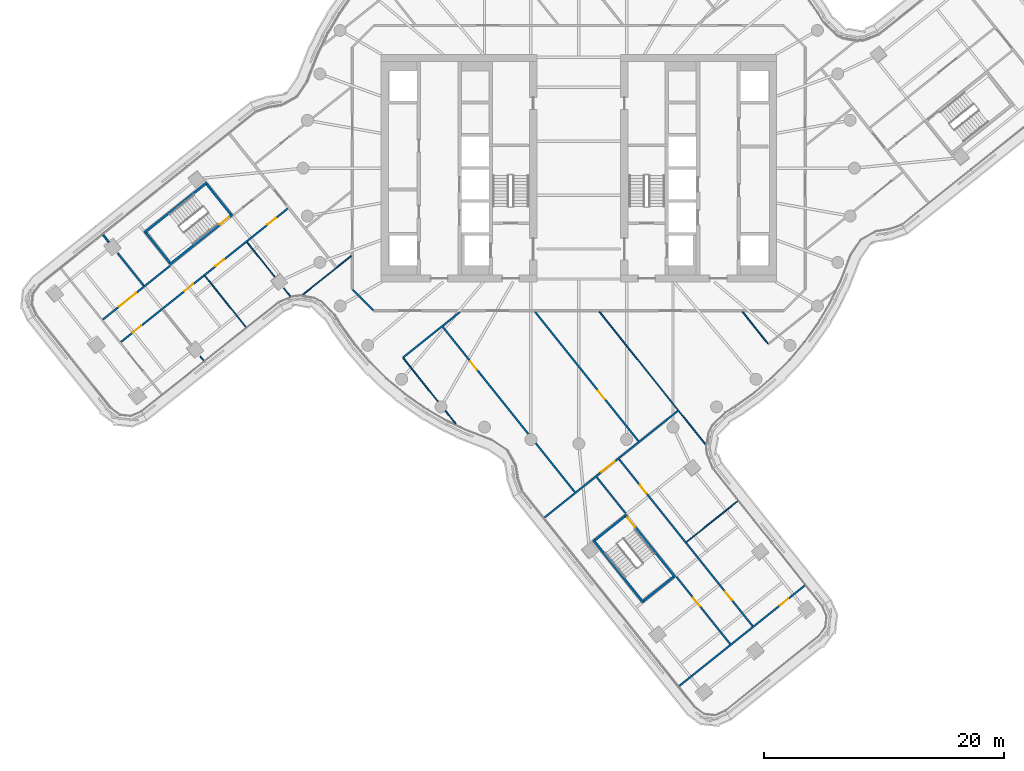
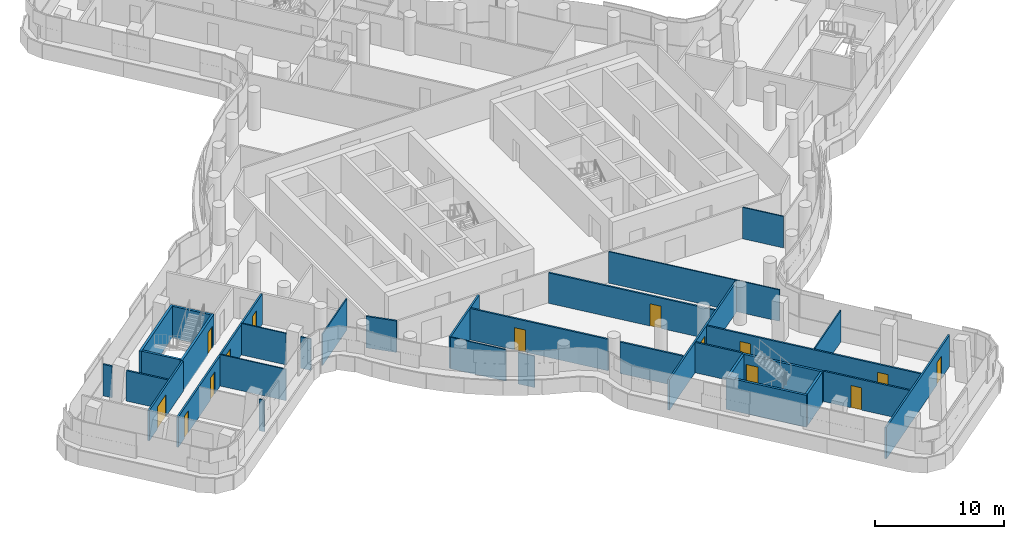
# One storey, part 19 of 31: 32 walls, 14 doors, 14 openings.
"""IFC4 building model written with IfcOpenShell, lengths in metres."""

from ifc_helpers import new_model, si_unit, direction, frame, frame_2d, origin, place, context, subcontext, project, spatial, polyline, rectangle, outline, extrude, material, layer, layer_set, type_object, element, fill, save


model = new_model("IFC4")

# Units and contexts
model_context = context("Model", 3, precision=1e-05, world=origin(), true_north=direction((0.0, 1.0)))
body_context = subcontext(model_context, "Body", "Model", "MODEL_VIEW")
ifc_project = project(units=[si_unit("LENGTHUNIT", "METRE"), si_unit("AREAUNIT", "SQUARE_METRE"), si_unit("VOLUMEUNIT", "CUBIC_METRE"), si_unit("PLANEANGLEUNIT", "RADIAN"), si_unit("MASSUNIT", "GRAM", prefix="KILO")], contexts=[model_context])

# Site, building, storey
site_placement = place(None, origin())
site = spatial("IfcSite", under=ifc_project, at=site_placement, CompositionType="ELEMENT")
building_placement = place(site_placement, origin())
building = spatial("IfcBuilding", under=site, at=building_placement, Name="Tamarind Cross Interchange Tower", CompositionType="ELEMENT")
storey_placement = place(building_placement, frame((0.0, 0.0, 174.25)))
storey = spatial("IfcBuildingStorey", under=building, at=storey_placement, Name="L43", CompositionType="ELEMENT", Elevation=174.25)

# Walls
ifc_material_1 = material(Name="Gypsum board partition on steel studs", Category="steel")
ifc_layer_1 = layer(ifc_material_1, 0.10009765625)
ifc_layer_set_1 = layer_set([ifc_layer_1], Name="Gypsum board partition on steel studs")
wall_type_1 = type_object("IfcWallType", Name="Partition 100 mm EI 90", PredefinedType="PARTITIONING", material=ifc_layer_set_1)
wall_1_placement = place(storey_placement, frame((-31.6015625, -15.69189453125, 0.0), z_axis=(0.0, 0.0, 1.0), x_axis=(0.624759558708, -0.78081719615, 0.0)))
element("IfcWall", 1, at=wall_1_placement, inside=storey, type_object=wall_type_1, Name="Partition L43-005", PredefinedType="PARTITIONING", context=body_context, shape_type="SweptSolid", body=[
    extrude(rectangle(XDim=0.46142578125, YDim=0.10009765625, at=frame_2d((0.230712890625, 0.0))), origin(), (0.0, 0.0, 1.0), 2.969970703125),
])
wall_2_placement = place(storey_placement, frame((-31.19921875, -8.99169921875, 0.0), z_axis=(0.0, 0.0, 1.0), x_axis=(0.624678672768, -0.780881908991, 0.0)))
element("IfcWall", 2, at=wall_2_placement, inside=storey, type_object=wall_type_1, Name="Partition L43-006", PredefinedType="PARTITIONING", context=body_context, shape_type="SweptSolid", body=[
    extrude(rectangle(XDim=5.454833984375, YDim=0.10009765625, at=frame_2d((2.7275390625, 0.0))), origin(), (0.0, 0.0, 1.0), 2.969970703125),
])
wall_3_placement = place(storey_placement, frame((-27.685302734375, -6.1806640625, 0.0), z_axis=(0.0, 0.0, 1.0), x_axis=(0.624703065972, -0.780862394641, 0.0)))
element("IfcWall", 3, at=wall_3_placement, inside=storey, type_object=wall_type_1, Name="Partition L43-008", PredefinedType="PARTITIONING", context=body_context, shape_type="SweptSolid", body=[
    extrude(rectangle(XDim=3.713134765625, YDim=0.10009765625, at=frame_2d((1.8564453125, 0.0))), origin(), (0.0, 0.0, 1.0), 2.969970703125),
])
wall_4_placement = place(storey_placement, frame((-24.625244140625, -10.006103515625, 0.0), z_axis=(0.0, 0.0, 1.0), x_axis=(0.624661023659, -0.780896027344, 0.0)))
element("IfcWall", 4, at=wall_4_placement, inside=storey, type_object=wall_type_1, Name="Partition L43-009", PredefinedType="PARTITIONING", context=body_context, shape_type="SweptSolid", body=[
    extrude(rectangle(XDim=0.875, YDim=0.10009765625, at=frame_2d((0.4375, 0.0))), origin(), (0.0, 0.0, 1.0), 2.969970703125),
])
wall_5_placement = place(storey_placement, frame((-14.63330078125, -15.87353515625, 0.0), z_axis=(0.0, 0.0, 1.0), x_axis=(0.624636960835, -0.780915275276, 0.0)))
element("IfcWall", 5, at=wall_5_placement, inside=storey, type_object=wall_type_1, Name="Partition L43-011", PredefinedType="PARTITIONING", context=body_context, shape_type="SweptSolid", body=[
    extrude(rectangle(XDim=4.61328125, YDim=0.10009765625, at=frame_2d((2.306640625, 0.0))), origin(), (0.0, 0.0, 1.0), 2.969970703125),
])
wall_6_placement = place(storey_placement, frame((-11.1337890625, -20.248779296875, 0.0), z_axis=(0.0, 0.0, 1.0), x_axis=(0.62463072699, -0.780920261551, 0.0)))
element("IfcWall", 6, at=wall_6_placement, inside=storey, type_object=wall_type_1, Name="Partition L43-012", PredefinedType="PARTITIONING", context=body_context, shape_type="SweptSolid", body=[
    extrude(rectangle(XDim=1.388671875, YDim=0.10009765625, at=frame_2d((0.6943359375, 0.0))), origin(), (0.0, 0.0, 1.0), 2.969970703125),
])
wall_7_placement = place(storey_placement, frame((1.724853515625, -11.98974609375, 0.0), z_axis=(0.0, 0.0, 1.0), x_axis=(0.624690839768, -0.780872175654, 0.0)))
element("IfcWall", 7, at=wall_7_placement, inside=storey, type_object=wall_type_1, Name="Partition L43-027", PredefinedType="PARTITIONING", context=body_context, shape_type="SweptSolid", body=[
    extrude(rectangle(XDim=14.151611328125, YDim=0.10009765625, at=frame_2d((7.07568359375, 0.0))), origin(), (0.0, 0.0, 1.0), 2.969970703125),
])
wall_8_placement = place(storey_placement, frame((13.662841796875, -11.98974609375, 0.0), z_axis=(0.0, 0.0, 1.0), x_axis=(0.624651201182, -0.780903884522, 0.0)))
element("IfcWall", 8, at=wall_8_placement, inside=storey, type_object=wall_type_1, Name="Partition L43-031", PredefinedType="PARTITIONING", context=body_context, shape_type="SweptSolid", body=[
    extrude(rectangle(XDim=3.395263671875, YDim=0.10009765625, at=frame_2d((1.69775390625, 0.0))), origin(), (0.0, 0.0, 1.0), 2.969970703125),
])
wall_9_placement = place(storey_placement, frame((-23.040771484375, -10.565185546875, 0.0), z_axis=(0.0, 0.0, 1.0), x_axis=(0.780900948361, 0.624654871789, 0.0)))
element("IfcWall", 9, at=wall_9_placement, inside=storey, type_object=wall_type_1, Name="Partition L43-045", PredefinedType="PARTITIONING", context=body_context, shape_type="SweptSolid", body=[
    extrude(rectangle(XDim=5.187744140625, YDim=0.10009765625, at=frame_2d((2.59375, 0.0))), origin(), (0.0, 0.0, 1.0), 2.969970703125),
])
wall_10_placement = place(storey_placement, frame((8.99169921875, -31.19921875, 0.0), z_axis=(0.0, 0.0, 1.0), x_axis=(0.780881908991, 0.624678672768, 0.0)))
element("IfcWall", 10, at=wall_10_placement, inside=storey, type_object=wall_type_1, Name="Partition L43-062", PredefinedType="PARTITIONING", context=body_context, shape_type="SweptSolid", body=[
    extrude(rectangle(XDim=5.454833984375, YDim=0.10009765625, at=frame_2d((2.7275390625, 0.0))), origin(), (0.0, 0.0, 1.0), 2.969970703125),
])
ifc_layer_2 = layer(ifc_material_1, 0.14990234375)
ifc_layer_set_2 = layer_set([ifc_layer_2], Name="Gypsum board partition on steel studs")
wall_type_2 = type_object("IfcWallType", Name="Partition 150 mm EI 120", PredefinedType="PARTITIONING", material=ifc_layer_set_2)
wall_11_placement = place(storey_placement, frame((-39.6943359375, -5.57568359375, 0.0), z_axis=(0.0, 0.0, 1.0), x_axis=(0.624616596662, -0.780931563695, 0.0)))
element("IfcWall", 11, at=wall_11_placement, inside=storey, type_object=wall_type_2, Name="Partition L43-002", PredefinedType="PARTITIONING", context=body_context, shape_type="SweptSolid", body=[
    extrude(rectangle(XDim=0.759033203125, YDim=0.14990234375, at=frame_2d((0.37939453125, 0.0))), origin(), (0.0, 0.0, 1.0), 2.969970703125),
])
wall_12_placement = place(storey_placement, frame((-38.4794921875, -7.09423828125, 0.0), z_axis=(0.0, 0.0, 1.0), x_axis=(0.624643633791, -0.780909937678, 0.0)))
element("IfcWall", 12, at=wall_12_placement, inside=storey, type_object=wall_type_2, Name="Partition L43-003", PredefinedType="PARTITIONING", context=body_context, shape_type="SweptSolid", body=[
    extrude(rectangle(XDim=3.474609375, YDim=0.14990234375, at=frame_2d((1.7373046875, 0.0))), origin(), (0.0, 0.0, 1.0), 2.8701171875),
])

# Wall, opening, door
wall_13_placement = place(storey_placement, frame((-11.35009765625, -13.25341796875, 0.0), z_axis=(0.0, 0.0, 1.0), x_axis=(0.624656044028, -0.780900010667, 0.0)))
wall_13 = element("IfcWall", 13, at=wall_13_placement, inside=storey, type_object=wall_type_2, Name="Partition L43-016", PredefinedType="PARTITIONING", context=body_context, shape_type="SweptSolid", body=[
    extrude(rectangle(XDim=11.450439453125, YDim=0.14990234375, at=frame_2d((5.72509765625, 0.0))), origin(), (0.0, 0.0, 1.0), 2.969970703125),
])
opening_1_placement = place(wall_13_placement, frame((3.669921875, 0.0, 0.0)))
opening_1 = element("IfcOpeningElement", 14, at=opening_1_placement, cuts=wall_13, Name="Opening D08", PredefinedType="OPENING", context=body_context, shape_type="SweptSolid", body=[
    extrude(rectangle(XDim=0.89990234375, YDim=2.10009765625, at=frame_2d((0.449951171875, 1.050048828125))), frame((0.0, 0.0849609375, 0.0), z_axis=(0.0, -1.0, 0.0), x_axis=(1.0, 0.0, 0.0)), (0.0, 0.0, 1.0), 0.169921875),
])
ifc_material_2 = material(Name="Fire-resisting door set")
door_type_1 = type_object("IfcDoorType", Name="Interior door 900 x 2100 FD60S", OperationType="SINGLE_SWING_LEFT", PredefinedType="DOOR", material=ifc_material_2)
door_1_placement = place(opening_1_placement, frame((0.89990234375, 0.0, 0.0), z_axis=(0.0, 0.0, 1.0), x_axis=(-1.0, 0.0, 0.0)))
door_1 = element("IfcDoor", 15, at=door_1_placement, inside=storey, type_object=door_type_1, Name="Door D08", OperationType="SINGLE_SWING_LEFT", OverallHeight=2.10009765625, OverallWidth=0.89990234375, PredefinedType="DOOR", context=body_context, shape_type="SweptSolid", body=[
    extrude(rectangle(XDim=0.89990234375, YDim=2.10009765625, at=frame_2d((0.449951171875, 1.050048828125))), frame((0.0, 0.02490234375, 0.0), z_axis=(0.0, -1.0, 0.0), x_axis=(1.0, 0.0, 0.0)), (0.0, 0.0, 1.0), 0.050048828125),
])
fill(opening_1, door_1)

# Wall
wall_14_placement = place(storey_placement, frame((-3.594970703125, -22.9482421875, 0.0), z_axis=(0.0, 0.0, 1.0), x_axis=(0.62465516027, -0.7809007176, 0.0)))
element("IfcWall", 16, at=wall_14_placement, inside=storey, type_object=wall_type_2, Name="Partition L43-017", PredefinedType="PARTITIONING", context=body_context, shape_type="SweptSolid", body=[
    extrude(rectangle(XDim=5.22509765625, YDim=0.14990234375, at=frame_2d((2.612548828125, 0.0))), origin(), (0.0, 0.0, 1.0), 2.969970703125),
])

# Wall, opening, door
wall_15_placement = place(storey_placement, frame((-3.640625, -12.00537109375, 0.0), z_axis=(0.0, 0.0, 1.0), x_axis=(0.62463894889, -0.78091368507, 0.0)))
wall_15 = element("IfcWall", 17, at=wall_15_placement, inside=storey, type_object=wall_type_2, Name="Partition L43-020", PredefinedType="PARTITIONING", context=body_context, shape_type="SweptSolid", body=[
    extrude(rectangle(XDim=13.79931640625, YDim=0.14990234375, at=frame_2d((6.899658203125, 0.0))), origin(), (0.0, 0.0, 1.0), 2.8701171875),
])
opening_2_placement = place(wall_15_placement, frame((8.4150390625, 0.0, 0.0)))
opening_2 = element("IfcOpeningElement", 18, at=opening_2_placement, cuts=wall_15, Name="Opening D09", PredefinedType="OPENING", context=body_context, shape_type="SweptSolid", body=[
    extrude(rectangle(XDim=0.89990234375, YDim=2.10009765625, at=frame_2d((0.449951171875, 1.050048828125))), frame((0.0, 0.0849609375, 0.0), z_axis=(0.0, -1.0, 0.0), x_axis=(1.0, 0.0, 0.0)), (0.0, 0.0, 1.0), 0.169921875),
])
door_2_placement = place(opening_2_placement, origin())
door_2 = element("IfcDoor", 19, at=door_2_placement, inside=storey, type_object=door_type_1, Name="Door D09", OperationType="SINGLE_SWING_LEFT", OverallHeight=2.10009765625, OverallWidth=0.89990234375, PredefinedType="DOOR", context=body_context, shape_type="SweptSolid", body=[
    extrude(rectangle(XDim=0.89990234375, YDim=2.10009765625, at=frame_2d((0.449951171875, 1.050048828125))), frame((0.0, 0.02490234375, 0.0), z_axis=(0.0, -1.0, 0.0), x_axis=(1.0, 0.0, 0.0)), (0.0, 0.0, 1.0), 0.050048828125),
])
fill(opening_2, door_2)

# Wall
wall_16_placement = place(storey_placement, frame((1.487060546875, -25.779541015625, 0.0), z_axis=(0.0, 0.0, 1.0), x_axis=(0.624664354655, -0.780893362774, 0.0)))
element("IfcWall", 20, at=wall_16_placement, inside=storey, type_object=wall_type_2, Name="Partition L43-025", PredefinedType="PARTITIONING", context=body_context, shape_type="SweptSolid", body=[
    extrude(rectangle(XDim=3.880126953125, YDim=0.14990234375, at=frame_2d((1.93994140625, 0.0))), origin(), (0.0, 0.0, 1.0), 2.8701171875),
])

# Wall, opening, door
wall_17_placement = place(storey_placement, frame((8.1455078125, -34.103271484375, 0.0), z_axis=(0.0, 0.0, 1.0), x_axis=(0.624666023475, -0.780892027822, 0.0)))
wall_17 = element("IfcWall", 21, at=wall_17_placement, inside=storey, type_object=wall_type_2, Name="Partition L43-026", PredefinedType="PARTITIONING", context=body_context, shape_type="SweptSolid", body=[
    extrude(rectangle(XDim=7.180908203125, YDim=0.14990234375, at=frame_2d((3.59033203125, 0.0))), origin(), (0.0, 0.0, 1.0), 2.8701171875),
])
opening_3_placement = place(wall_17_placement, frame((2.25, 0.0, 0.0)))
opening_3 = element("IfcOpeningElement", 22, at=opening_3_placement, cuts=wall_17, Name="Opening D14", PredefinedType="OPENING", context=body_context, shape_type="SweptSolid", body=[
    extrude(rectangle(XDim=0.89990234375, YDim=2.10009765625, at=frame_2d((0.449951171875, 1.050048828125))), frame((0.0, 0.0849609375, 0.0), z_axis=(0.0, -1.0, 0.0), x_axis=(1.0, 0.0, 0.0)), (0.0, 0.0, 1.0), 0.169921875),
])
door_3_placement = place(opening_3_placement, frame((0.89990234375, 0.0, 0.0), z_axis=(0.0, 0.0, 1.0), x_axis=(-1.0, 0.0, 0.0)))
door_3 = element("IfcDoor", 23, at=door_3_placement, inside=storey, type_object=door_type_1, Name="Door D14", OperationType="SINGLE_SWING_LEFT", OverallHeight=2.10009765625, OverallWidth=0.89990234375, PredefinedType="DOOR", context=body_context, shape_type="SweptSolid", body=[
    extrude(rectangle(XDim=0.89990234375, YDim=2.10009765625, at=frame_2d((0.449951171875, 1.050048828125))), frame((0.0, 0.02490234375, 0.0), z_axis=(0.0, -1.0, 0.0), x_axis=(1.0, 0.0, 0.0)), (0.0, 0.0, 1.0), 0.050048828125),
])
fill(opening_3, door_3)

# Wall, openings, doors
wall_18_placement = place(storey_placement, frame((3.361083984375, -24.280517578125, 0.0), z_axis=(0.0, 0.0, 1.0), x_axis=(0.624663337309, -0.780894176584, 0.0)))
wall_18 = element("IfcWall", 24, at=wall_18_placement, inside=storey, type_object=wall_type_2, Name="Partition L43-028", PredefinedType="PARTITIONING", context=body_context, shape_type="SweptSolid", body=[
    extrude(rectangle(XDim=17.839599609375, YDim=0.14990234375, at=frame_2d((8.919921875, 0.0))), origin(), (0.0, 0.0, 1.0), 2.8701171875),
])
opening_4_placement = place(wall_18_placement, frame((2.77001953125, 0.0, 0.0)))
opening_4 = element("IfcOpeningElement", 25, at=opening_4_placement, cuts=wall_18, Name="Opening D15", PredefinedType="OPENING", context=body_context, shape_type="SweptSolid", body=[
    extrude(rectangle(XDim=0.89990234375, YDim=2.10009765625, at=frame_2d((0.449951171875, 1.050048828125))), frame((0.0, 0.0849609375, 0.0), z_axis=(0.0, -1.0, 0.0), x_axis=(1.0, 0.0, 0.0)), (0.0, 0.0, 1.0), 0.169921875),
])
opening_5_placement = place(wall_18_placement, frame((14.169921875, 0.0, 0.0)))
opening_5 = element("IfcOpeningElement", 26, at=opening_5_placement, cuts=wall_18, Name="Opening D16", PredefinedType="OPENING", context=body_context, shape_type="SweptSolid", body=[
    extrude(rectangle(XDim=0.89990234375, YDim=2.10009765625, at=frame_2d((0.449951171875, 1.050048828125))), frame((0.0, 0.0849609375, 0.0), z_axis=(0.0, -1.0, 0.0), x_axis=(1.0, 0.0, 0.0)), (0.0, 0.0, 1.0), 0.169921875),
])
door_4_placement = place(opening_4_placement, origin())
door_4 = element("IfcDoor", 27, at=door_4_placement, inside=storey, type_object=door_type_1, Name="Door D15", OperationType="SINGLE_SWING_RIGHT", OverallHeight=2.10009765625, OverallWidth=0.89990234375, PredefinedType="DOOR", context=body_context, shape_type="SweptSolid", body=[
    extrude(rectangle(XDim=0.89990234375, YDim=2.10009765625, at=frame_2d((0.449951171875, 1.050048828125))), frame((0.0, 0.02490234375, 0.0), z_axis=(0.0, -1.0, 0.0), x_axis=(1.0, 0.0, 0.0)), (0.0, 0.0, 1.0), 0.050048828125),
])
fill(opening_4, door_4)
door_5_placement = place(opening_5_placement, origin())
door_5 = element("IfcDoor", 28, at=door_5_placement, inside=storey, type_object=door_type_1, Name="Door D16", OperationType="SINGLE_SWING_LEFT", OverallHeight=2.10009765625, OverallWidth=0.89990234375, PredefinedType="DOOR", context=body_context, shape_type="SweptSolid", body=[
    extrude(rectangle(XDim=0.89990234375, YDim=2.10009765625, at=frame_2d((0.449951171875, 1.050048828125))), frame((0.0, 0.02490234375, 0.0), z_axis=(0.0, -1.0, 0.0), x_axis=(1.0, 0.0, 0.0)), (0.0, 0.0, 1.0), 0.050048828125),
])
fill(opening_5, door_5)

# Wall
wall_19_placement = place(storey_placement, frame((-18.87158203125, -10.12841796875, 0.0), z_axis=(0.0, 0.0, 1.0), x_axis=(0.707106781187, -0.707106781187, 0.0)))
element("IfcWall", 29, at=wall_19_placement, inside=storey, type_object=wall_type_2, Name="Partition L43-036", PredefinedType="PARTITIONING", context=body_context, shape_type="SweptSolid", body=[
    extrude(rectangle(XDim=2.465087890625, YDim=0.14990234375, at=frame_2d((1.232421875, 0.0))), origin(), (0.0, 0.0, 1.0), 2.969970703125),
])

# Wall, opening, door
wall_20_placement = place(storey_placement, frame((-39.71044921875, -12.631103515625, 0.0), z_axis=(0.0, 0.0, 1.0), x_axis=(0.780878760573, 0.624682608439, 0.0)))
wall_20 = element("IfcWall", 30, at=wall_20_placement, inside=storey, type_object=wall_type_2, Name="Partition L43-040", PredefinedType="PARTITIONING", context=body_context, shape_type="SweptSolid", body=[
    extrude(rectangle(XDim=7.1806640625, YDim=0.14990234375, at=frame_2d((3.59033203125, 0.0))), origin(), (0.0, 0.0, 1.0), 2.8701171875),
])
opening_6_placement = place(wall_20_placement, frame((1.719970703125, 0.0, 0.0)))
opening_6 = element("IfcOpeningElement", 31, at=opening_6_placement, cuts=wall_20, Name="Opening D25", PredefinedType="OPENING", context=body_context, shape_type="SweptSolid", body=[
    extrude(rectangle(XDim=1.800048828125, YDim=2.10009765625, at=frame_2d((0.89990234375, 1.050048828125))), frame((0.0, 0.0849609375, 0.0), z_axis=(0.0, -1.0, 0.0), x_axis=(1.0, 0.0, 0.0)), (0.0, 0.0, 1.0), 0.169921875),
])
door_type_2 = type_object("IfcDoorType", Name="Interior door 1800 x 2100 FD60S", OperationType="DOUBLE_DOOR_SINGLE_SWING", PredefinedType="DOOR", material=ifc_material_2)
door_6_placement = place(opening_6_placement, origin())
door_6 = element("IfcDoor", 32, at=door_6_placement, inside=storey, type_object=door_type_2, Name="Door D25", OperationType="DOUBLE_DOOR_SINGLE_SWING", OverallHeight=2.10009765625, OverallWidth=1.800048828125, PredefinedType="DOOR", context=body_context, shape_type="SweptSolid", body=[
    extrude(rectangle(XDim=1.800048828125, YDim=2.10009765625, at=frame_2d((0.89990234375, 1.050048828125))), frame((0.0, 0.02490234375, 0.0), z_axis=(0.0, -1.0, 0.0), x_axis=(1.0, 0.0, 0.0)), (0.0, 0.0, 1.0), 0.050048828125),
])
fill(opening_6, door_6)

# Wall, openings, doors
wall_21_placement = place(storey_placement, frame((-38.21142578125, -14.5048828125, 0.0), z_axis=(0.0, 0.0, 1.0), x_axis=(0.780892868447, 0.624664972612, 0.0)))
wall_21 = element("IfcWall", 33, at=wall_21_placement, inside=storey, type_object=wall_type_2, Name="Partition L43-042", PredefinedType="PARTITIONING", context=body_context, shape_type="SweptSolid", body=[
    extrude(rectangle(XDim=17.81982421875, YDim=0.14990234375, at=frame_2d((8.909912109375, 0.0))), origin(), (0.0, 0.0, 1.0), 2.8701171875),
])
opening_7_placement = place(wall_21_placement, frame((15.669921875, 0.0, 0.0)))
opening_7 = element("IfcOpeningElement", 34, at=opening_7_placement, cuts=wall_21, Name="Opening D27", PredefinedType="OPENING", context=body_context, shape_type="SweptSolid", body=[
    extrude(rectangle(XDim=0.89990234375, YDim=2.10009765625, at=frame_2d((0.449951171875, 1.050048828125))), frame((0.0, 0.0849609375, 0.0), z_axis=(0.0, -1.0, 0.0), x_axis=(1.0, 0.0, 0.0)), (0.0, 0.0, 1.0), 0.169921875),
])
opening_8_placement = place(wall_21_placement, frame((10.1201171875, 0.0, 0.0)))
opening_8 = element("IfcOpeningElement", 35, at=opening_8_placement, cuts=wall_21, Name="Opening D28", PredefinedType="OPENING", context=body_context, shape_type="SweptSolid", body=[
    extrude(rectangle(XDim=0.89990234375, YDim=2.10009765625, at=frame_2d((0.449951171875, 1.050048828125))), frame((0.0, 0.0849609375, 0.0), z_axis=(0.0, -1.0, 0.0), x_axis=(1.0, 0.0, 0.0)), (0.0, 0.0, 1.0), 0.169921875),
])
opening_9_placement = place(wall_21_placement, frame((6.820068359375, 0.0, 0.0)))
opening_9 = element("IfcOpeningElement", 36, at=opening_9_placement, cuts=wall_21, Name="Opening D29", PredefinedType="OPENING", context=body_context, shape_type="SweptSolid", body=[
    extrude(rectangle(XDim=0.89990234375, YDim=2.10009765625, at=frame_2d((0.449951171875, 1.050048828125))), frame((0.0, 0.0849609375, 0.0), z_axis=(0.0, -1.0, 0.0), x_axis=(1.0, 0.0, 0.0)), (0.0, 0.0, 1.0), 0.169921875),
])
opening_10_placement = place(wall_21_placement, frame((1.27001953125, 0.0, 0.0)))
opening_10 = element("IfcOpeningElement", 37, at=opening_10_placement, cuts=wall_21, Name="Opening D30", PredefinedType="OPENING", context=body_context, shape_type="SweptSolid", body=[
    extrude(rectangle(XDim=0.89990234375, YDim=2.10009765625, at=frame_2d((0.449951171875, 1.050048828125))), frame((0.0, 0.0849609375, 0.0), z_axis=(0.0, -1.0, 0.0), x_axis=(1.0, 0.0, 0.0)), (0.0, 0.0, 1.0), 0.169921875),
])
door_7_placement = place(opening_7_placement, frame((0.89990234375, 0.0, 0.0), z_axis=(0.0, 0.0, 1.0), x_axis=(-1.0, 0.0, 0.0)))
door_7 = element("IfcDoor", 38, at=door_7_placement, inside=storey, type_object=door_type_1, Name="Door D27", OperationType="SINGLE_SWING_RIGHT", OverallHeight=2.10009765625, OverallWidth=0.89990234375, PredefinedType="DOOR", context=body_context, shape_type="SweptSolid", body=[
    extrude(rectangle(XDim=0.89990234375, YDim=2.10009765625, at=frame_2d((0.449951171875, 1.050048828125))), frame((0.0, 0.02490234375, 0.0), z_axis=(0.0, -1.0, 0.0), x_axis=(1.0, 0.0, 0.0)), (0.0, 0.0, 1.0), 0.050048828125),
])
fill(opening_7, door_7)
door_8_placement = place(opening_8_placement, frame((0.89990234375, 0.0, 0.0), z_axis=(0.0, 0.0, 1.0), x_axis=(-1.0, 0.0, 0.0)))
door_8 = element("IfcDoor", 39, at=door_8_placement, inside=storey, type_object=door_type_1, Name="Door D28", OperationType="SINGLE_SWING_RIGHT", OverallHeight=2.10009765625, OverallWidth=0.89990234375, PredefinedType="DOOR", context=body_context, shape_type="SweptSolid", body=[
    extrude(rectangle(XDim=0.89990234375, YDim=2.10009765625, at=frame_2d((0.449951171875, 1.050048828125))), frame((0.0, 0.02490234375, 0.0), z_axis=(0.0, -1.0, 0.0), x_axis=(1.0, 0.0, 0.0)), (0.0, 0.0, 1.0), 0.050048828125),
])
fill(opening_8, door_8)
door_9_placement = place(opening_9_placement, frame((0.89990234375, 0.0, 0.0), z_axis=(0.0, 0.0, 1.0), x_axis=(-1.0, 0.0, 0.0)))
door_9 = element("IfcDoor", 40, at=door_9_placement, inside=storey, type_object=door_type_1, Name="Door D29", OperationType="SINGLE_SWING_LEFT", OverallHeight=2.10009765625, OverallWidth=0.89990234375, PredefinedType="DOOR", context=body_context, shape_type="SweptSolid", body=[
    extrude(rectangle(XDim=0.89990234375, YDim=2.10009765625, at=frame_2d((0.449951171875, 1.050048828125))), frame((0.0, 0.02490234375, 0.0), z_axis=(0.0, -1.0, 0.0), x_axis=(1.0, 0.0, 0.0)), (0.0, 0.0, 1.0), 0.050048828125),
])
fill(opening_9, door_9)
door_10_placement = place(opening_10_placement, frame((0.89990234375, 0.0, 0.0), z_axis=(0.0, 0.0, 1.0), x_axis=(-1.0, 0.0, 0.0)))
door_10 = element("IfcDoor", 41, at=door_10_placement, inside=storey, type_object=door_type_1, Name="Door D30", OperationType="SINGLE_SWING_LEFT", OverallHeight=2.10009765625, OverallWidth=0.89990234375, PredefinedType="DOOR", context=body_context, shape_type="SweptSolid", body=[
    extrude(rectangle(XDim=0.89990234375, YDim=2.10009765625, at=frame_2d((0.449951171875, 1.050048828125))), frame((0.0, 0.02490234375, 0.0), z_axis=(0.0, -1.0, 0.0), x_axis=(1.0, 0.0, 0.0)), (0.0, 0.0, 1.0), 0.050048828125),
])
fill(opening_10, door_10)

# Wall
wall_22_placement = place(storey_placement, frame((-14.679931640625, -15.81494140625, 0.0), z_axis=(0.0, 0.0, 1.0), x_axis=(0.780857060807, 0.624709733066, 0.0)))
element("IfcWall", 42, at=wall_22_placement, inside=storey, type_object=wall_type_2, Name="Partition L43-054", PredefinedType="PARTITIONING", context=body_context, shape_type="SweptSolid", body=[
    extrude(rectangle(XDim=6.08203125, YDim=0.14990234375, at=frame_2d((3.041015625, 0.0))), origin(), (0.0, 0.0, 1.0), 2.969970703125),
])

# Wall, opening, door
wall_23_placement = place(storey_placement, frame((-2.857177734375, -29.15234375, 0.0), z_axis=(0.0, 0.0, 1.0), x_axis=(0.780870482163, 0.624692956649, 0.0)))
wall_23 = element("IfcWall", 43, at=wall_23_placement, inside=storey, type_object=wall_type_2, Name="Partition L43-059", PredefinedType="PARTITIONING", context=body_context, shape_type="SweptSolid", body=[
    extrude(rectangle(XDim=14.239501953125, YDim=0.14990234375, at=frame_2d((7.11962890625, 0.0))), origin(), (0.0, 0.0, 1.0), 2.8701171875),
])
opening_11_placement = place(wall_23_placement, frame((6.099365234375, 0.0, 0.0)))
opening_11 = element("IfcOpeningElement", 44, at=opening_11_placement, cuts=wall_23, Name="Opening D35", PredefinedType="OPENING", context=body_context, shape_type="SweptSolid", body=[
    extrude(rectangle(XDim=1.39990234375, YDim=2.10009765625, at=frame_2d((0.699951171875, 1.050048828125))), frame((0.0, 0.0849609375, 0.0), z_axis=(0.0, -1.0, 0.0), x_axis=(1.0, 0.0, 0.0)), (0.0, 0.0, 1.0), 0.169921875),
])
door_type_3 = type_object("IfcDoorType", Name="Interior door 1400 x 2100 FD60S", OperationType="DOUBLE_DOOR_SINGLE_SWING", PredefinedType="DOOR", material=ifc_material_2)
door_11_placement = place(opening_11_placement, origin())
door_11 = element("IfcDoor", 45, at=door_11_placement, inside=storey, type_object=door_type_3, Name="Door D35", OperationType="DOUBLE_DOOR_SINGLE_SWING", OverallHeight=2.10009765625, OverallWidth=1.39990234375, PredefinedType="DOOR", context=body_context, shape_type="SweptSolid", body=[
    extrude(rectangle(XDim=1.39990234375, YDim=2.10009765625, at=frame_2d((0.699951171875, 1.050048828125))), frame((0.0, 0.02490234375, 0.0), z_axis=(0.0, -1.0, 0.0), x_axis=(1.0, 0.0, 0.0)), (0.0, 0.0, 1.0), 0.050048828125),
])
fill(opening_11, door_11)

wall_24_placement = place(storey_placement, frame((8.38671875, -43.20849609375, 0.0), z_axis=(0.0, 0.0, 1.0), x_axis=(0.780849262407, 0.624719480565, 0.0)))
wall_24 = element("IfcWall", 46, at=wall_24_placement, inside=storey, type_object=wall_type_2, Name="Partition L43-061", PredefinedType="PARTITIONING", context=body_context, shape_type="SweptSolid", body=[
    extrude(rectangle(XDim=13.404052734375, YDim=0.14990234375, at=frame_2d((6.7021484375, 0.0))), origin(), (0.0, 0.0, 1.0), 2.969970703125),
])
opening_12_placement = place(wall_24_placement, frame((10.7490234375, 0.0, 0.0)))
opening_12 = element("IfcOpeningElement", 47, at=opening_12_placement, cuts=wall_24, Name="Opening D36", PredefinedType="OPENING", context=body_context, shape_type="SweptSolid", body=[
    extrude(rectangle(XDim=0.89990234375, YDim=2.10009765625, at=frame_2d((0.449951171875, 1.050048828125))), frame((0.0, 0.0849609375, 0.0), z_axis=(0.0, -1.0, 0.0), x_axis=(1.0, 0.0, 0.0)), (0.0, 0.0, 1.0), 0.169921875),
])
door_12_placement = place(opening_12_placement, frame((0.89990234375, 0.0, 0.0), z_axis=(0.0, 0.0, 1.0), x_axis=(-1.0, 0.0, 0.0)))
door_12 = element("IfcDoor", 48, at=door_12_placement, inside=storey, type_object=door_type_1, Name="Door D36", OperationType="SINGLE_SWING_RIGHT", OverallHeight=2.10009765625, OverallWidth=0.89990234375, PredefinedType="DOOR", context=body_context, shape_type="SweptSolid", body=[
    extrude(rectangle(XDim=0.89990234375, YDim=2.10009765625, at=frame_2d((0.449951171875, 1.050048828125))), frame((0.0, 0.02490234375, 0.0), z_axis=(0.0, -1.0, 0.0), x_axis=(1.0, 0.0, 0.0)), (0.0, 0.0, 1.0), 0.050048828125),
])
fill(opening_12, door_12)

ifc_material_3 = material(Name="Concrete C40", Category="concrete")
ifc_layer_3 = layer(ifc_material_3, 0.199951171875)
ifc_layer_set_3 = layer_set([ifc_layer_3], Name="Concrete C40")
wall_type_3 = type_object("IfcWallType", Name="Stair shaft wall 200 mm Concrete C40", PredefinedType="SHEAR", material=ifc_layer_set_3)
wall_25_placement = place(storey_placement, frame((-28.903076171875, -3.857177734375, -0.139892578125), z_axis=(0.0, 0.0, 1.0), x_axis=(-0.780886584222, -0.624672828433, 0.0)))
wall_25 = element("IfcWall", 49, at=wall_25_placement, inside=storey, type_object=wall_type_3, Name="Core wall CWL-L43-ST5-H", PredefinedType="SHEAR", context=body_context, shape_type="SweptSolid", body=[
    extrude(rectangle(XDim=6.699951171875, YDim=0.199951171875, at=frame_2d((3.35009765625, 0.0))), origin(), (0.0, 0.0, 1.0), 3.010009765625),
])
opening_13_placement = place(wall_25_placement, frame((0.35009765625, 0.0, 0.0)))
opening_13 = element("IfcOpeningElement", 50, at=opening_13_placement, cuts=wall_25, Name="Opening ST5L43", PredefinedType="OPENING", context=body_context, shape_type="SweptSolid", body=[
    extrude(rectangle(XDim=1.0, YDim=2.10009765625, at=frame_2d((0.5, 1.050048828125))), frame((0.0, 0.10986328125, 0.0), z_axis=(0.0, -1.0, 0.0), x_axis=(1.0, 0.0, 0.0)), (0.0, 0.0, 1.0), 0.219970703125),
])
ifc_material_4 = material(Name="Steel, fire-resisting", Category="steel")
door_type_4 = type_object("IfcDoorType", Name="Core fire door 1000 x 2100 FD90", OperationType="SINGLE_SWING_LEFT", PredefinedType="DOOR", material=ifc_material_4)
door_13_placement = place(opening_13_placement, origin())
door_13 = element("IfcDoor", 51, at=door_13_placement, inside=storey, type_object=door_type_4, Name="L43 stair door ST5", OperationType="SINGLE_SWING_LEFT", OverallHeight=2.10009765625, OverallWidth=1.0, PredefinedType="DOOR", context=body_context, shape_type="SweptSolid", body=[
    extrude(rectangle(XDim=1.0, YDim=2.10009765625, at=frame_2d((0.5, 1.050048828125))), frame((0.0, 0.02490234375, 0.0), z_axis=(0.0, -1.0, 0.0), x_axis=(1.0, 0.0, 0.0)), (0.0, 0.0, 1.0), 0.050048828125),
])
fill(opening_13, door_13)

# Walls
wall_26_placement = place(storey_placement, frame((-31.02685546875, -1.2021484375, -0.139892578125), z_axis=(0.0, 0.0, 1.0), x_axis=(-0.780886584222, -0.624672828433, 0.0)))
element("IfcWall", 52, at=wall_26_placement, inside=storey, type_object=wall_type_3, Name="Core wall CWL-L43-ST5-C", PredefinedType="SHEAR", context=body_context, shape_type="SweptSolid", body=[
    extrude(rectangle(XDim=6.699951171875, YDim=0.199951171875, at=frame_2d((3.35009765625, 0.0))), origin(), (0.0, 0.0, 1.0), 3.010009765625),
])
wall_27_placement = place(storey_placement, frame((-31.04248046875, -1.3427734375, -0.139892578125), z_axis=(0.0, 0.0, 1.0), x_axis=(0.624648523514, -0.780906026403, 0.0)))
element("IfcWall", 53, at=wall_27_placement, inside=storey, type_object=wall_type_3, Name="Core wall CWL-L43-ST5-CE", PredefinedType="SHEAR", context=body_context, shape_type="SweptSolid", body=[
    extrude(rectangle(XDim=3.199951171875, YDim=0.199951171875, at=frame_2d((1.60009765625, 0.0))), origin(), (0.0, 0.0, 1.0), 3.010009765625),
])
wall_28_placement = place(storey_placement, frame((0.0, 0.0, -0.139892578125)))
element("IfcWall", 54, at=wall_28_placement, inside=storey, type_object=wall_type_3, Name="Core wall CWL-L43-ST5-CF", PredefinedType="SHEAR", context=body_context, shape_type="SweptSolid", body=[
    extrude(outline(polyline([(-36.040283203125, -5.340576171875), (-36.1962890625, -5.465576171875), (-34.197509765625, -7.96435546875), (-34.041259765625, -7.839599609375), (-36.040283203125, -5.340576171875)])), origin(), (0.0, 0.0, 1.0), 3.010009765625),
])

# Wall, opening, door
wall_29_placement = place(storey_placement, frame((3.857177734375, -28.903076171875, -0.139892578125), z_axis=(0.0, 0.0, 1.0), x_axis=(0.624672828433, -0.780886584222, 0.0)))
wall_29 = element("IfcWall", 55, at=wall_29_placement, inside=storey, type_object=wall_type_3, Name="Core wall CWL-L43-ST6-H", PredefinedType="SHEAR", context=body_context, shape_type="SweptSolid", body=[
    extrude(rectangle(XDim=6.699951171875, YDim=0.199951171875, at=frame_2d((3.35009765625, 0.0))), origin(), (0.0, 0.0, 1.0), 3.010009765625),
])
opening_14_placement = place(wall_29_placement, frame((0.35009765625, 0.0, 0.0)))
opening_14 = element("IfcOpeningElement", 56, at=opening_14_placement, cuts=wall_29, Name="Opening ST6L43", PredefinedType="OPENING", context=body_context, shape_type="SweptSolid", body=[
    extrude(rectangle(XDim=1.0, YDim=2.10009765625, at=frame_2d((0.5, 1.050048828125))), frame((0.0, 0.10986328125, 0.0), z_axis=(0.0, -1.0, 0.0), x_axis=(1.0, 0.0, 0.0)), (0.0, 0.0, 1.0), 0.219970703125),
])
door_14_placement = place(opening_14_placement, origin())
door_14 = element("IfcDoor", 57, at=door_14_placement, inside=storey, type_object=door_type_4, Name="L43 stair door ST6", OperationType="SINGLE_SWING_LEFT", OverallHeight=2.10009765625, OverallWidth=1.0, PredefinedType="DOOR", context=body_context, shape_type="SweptSolid", body=[
    extrude(rectangle(XDim=1.0, YDim=2.10009765625, at=frame_2d((0.5, 1.050048828125))), frame((0.0, 0.02490234375, 0.0), z_axis=(0.0, -1.0, 0.0), x_axis=(1.0, 0.0, 0.0)), (0.0, 0.0, 1.0), 0.050048828125),
])
fill(opening_14, door_14)

# Walls
wall_30_placement = place(storey_placement, frame((1.2021484375, -31.02685546875, -0.139892578125), z_axis=(0.0, 0.0, 1.0), x_axis=(0.624672828433, -0.780886584222, 0.0)))
element("IfcWall", 58, at=wall_30_placement, inside=storey, type_object=wall_type_3, Name="Core wall CWL-L43-ST6-C", PredefinedType="SHEAR", context=body_context, shape_type="SweptSolid", body=[
    extrude(rectangle(XDim=6.699951171875, YDim=0.199951171875, at=frame_2d((3.35009765625, 0.0))), origin(), (0.0, 0.0, 1.0), 3.010009765625),
])
wall_31_placement = place(storey_placement, frame((1.3427734375, -31.04248046875, -0.139892578125), z_axis=(0.0, 0.0, 1.0), x_axis=(0.780906026403, 0.624648523514, 0.0)))
element("IfcWall", 59, at=wall_31_placement, inside=storey, type_object=wall_type_3, Name="Core wall CWL-L43-ST6-CE", PredefinedType="SHEAR", context=body_context, shape_type="SweptSolid", body=[
    extrude(rectangle(XDim=3.199951171875, YDim=0.199951171875, at=frame_2d((1.60009765625, 0.0))), origin(), (0.0, 0.0, 1.0), 3.010009765625),
])
wall_32_placement = place(storey_placement, frame((0.0, 0.0, -0.139892578125)))
element("IfcWall", 60, at=wall_32_placement, inside=storey, type_object=wall_type_3, Name="Core wall CWL-L43-ST6-CF", PredefinedType="SHEAR", context=body_context, shape_type="SweptSolid", body=[
    extrude(outline(polyline([(5.340576171875, -36.040283203125), (5.465576171875, -36.1962890625), (7.96435546875, -34.197509765625), (7.839599609375, -34.041259765625), (5.340576171875, -36.040283203125)])), origin(), (0.0, 0.0, 1.0), 3.010009765625),
])

save(model, "model.ifc")
